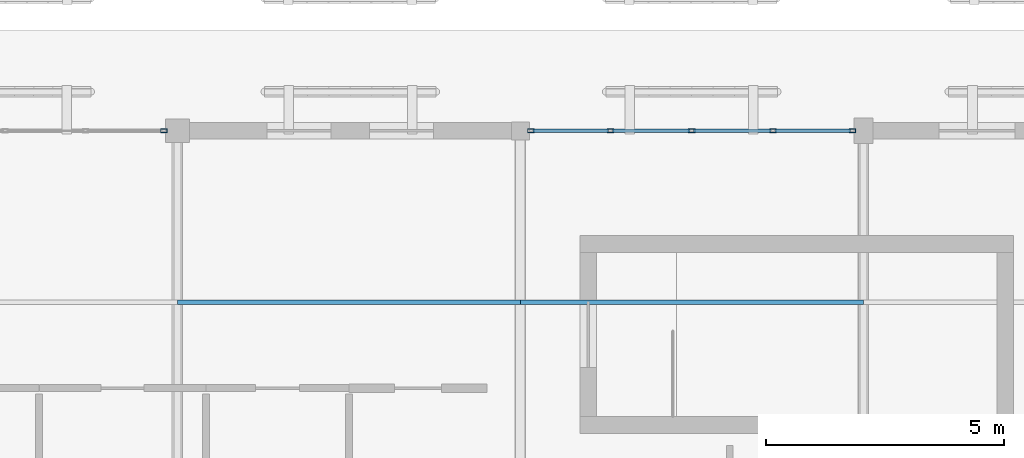
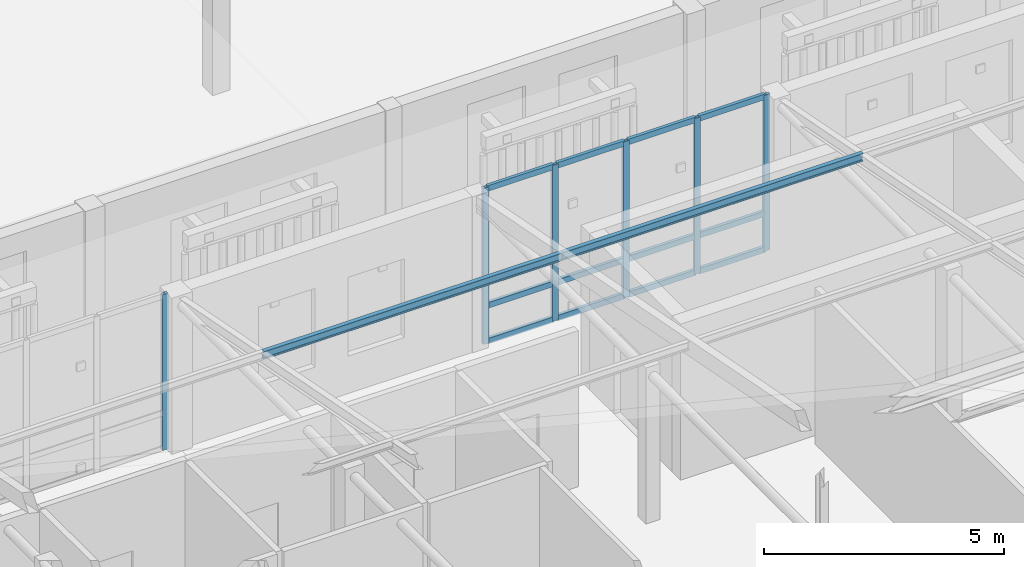
# One storey, part 55 of 112: 20 members, 2 elements without a shape of their own.
"""IFC4 building model written with IfcOpenShell, lengths in metres."""

from ifc_helpers import new_model, si_unit, direction, frame, origin, origin_2d, place, context, subcontext, project, spatial, hollow_rectangle, i_section, extrude, material, layer, layer_set, material_profile, profile_set, type_object, element, aggregate, save


model = new_model("IFC4")

# Units and contexts
model_context = context("Model", 3, precision=1e-05, world=origin(), true_north=direction((0.0, 1.0)))
body_context = subcontext(model_context, "Body", "Model", "MODEL_VIEW")
ifc_project = project(units=[si_unit("LENGTHUNIT", "METRE"), si_unit("AREAUNIT", "SQUARE_METRE"), si_unit("VOLUMEUNIT", "CUBIC_METRE"), si_unit("PLANEANGLEUNIT", "RADIAN"), si_unit("MASSUNIT", "GRAM", prefix="KILO")], contexts=[model_context])

# Site, building, storey
site_placement = place(None, origin())
site = spatial("IfcSite", under=ifc_project, at=site_placement, CompositionType="ELEMENT")
building_placement = place(site_placement, origin())
building = spatial("IfcBuilding", under=site, at=building_placement, Name="Mazaris Harbour Polytechnic", CompositionType="ELEMENT")
storey_placement = place(building_placement, frame((0.0, 0.0, 13.800048828125)))
storey = spatial("IfcBuildingStorey", under=building, at=storey_placement, Name="L03", CompositionType="ELEMENT", Elevation=13.800048828125)

# Curtain wall, member
ifc_material_1 = material(Name="Anodised Bronze Aluminium and Low-E Glass", Category="aluminium")
ifc_layer = layer(ifc_material_1, 0.159912109375, Name="Anodised Bronze Aluminium and Low-E Glass")
ifc_layer_set = layer_set([ifc_layer], Name="Anodised Bronze Aluminium and Low-E Glass")
curtain_wall_type = type_object("IfcCurtainWallType", Name="Cloister Court Curtain Wall", PredefinedType="NOTDEFINED", material=ifc_layer_set)
curtain_wall_1_placement = place(storey_placement, origin())
curtain_wall_1 = element("IfcCurtainWall", 1, at=curtain_wall_1_placement, inside=storey, type_object=curtain_wall_type, Name="V2 L03 Curtain Wall 56", PredefinedType="NOTDEFINED")
ifc_material_2 = material(Name="Anodised Bronze Steel S355", Category="steel")
ifc_material_profile_1 = material_profile(ifc_material_2, hollow_rectangle(XDim=0.080078125, YDim=0.139892578125, WallThickness=0.00634765625, at=origin_2d()), Name="RHS 80x140x6.3")
ifc_profile_set_1 = profile_set([ifc_material_profile_1], Name="Anodised Bronze Steel S355")
member_type_1 = type_object("IfcMemberType", Name="Curtain Mullion RHS80x140", PredefinedType="MULLION", material=ifc_profile_set_1)
member_1_placement = place(storey_placement, frame((143.718017578125, 43.199951171875, 0.0), z_axis=(0.0, 0.0, 1.0), x_axis=(0.0, 1.0, 0.0)))
member_1 = element("IfcMember", 2, at=member_1_placement, type_object=member_type_1, Name="CW-02 mullion 5", PredefinedType="MULLION", context=body_context, shape_type="SweptSolid", body=[
    extrude(hollow_rectangle(XDim=0.080078125, YDim=0.139892578125, WallThickness=0.00634765625, at=origin_2d()), origin(), (0.0, 0.0, 1.0), 3.9599609375),
])
aggregate(curtain_wall_1, [member_1])

# Curtain wall, members
curtain_wall_2_placement = place(storey_placement, origin())
curtain_wall_2 = element("IfcCurtainWall", 3, at=curtain_wall_2_placement, inside=storey, type_object=curtain_wall_type, Name="V2 L03 Curtain Wall 57", PredefinedType="NOTDEFINED")
member_2_placement = place(storey_placement, frame((151.422119140625, 43.199951171875, 0.0), z_axis=(0.0, 0.0, 1.0), x_axis=(0.0, 1.0, 0.0)))
member_2 = element("IfcMember", 4, at=member_2_placement, type_object=member_type_1, Name="CW-02 mullion 1", PredefinedType="MULLION", context=body_context, shape_type="SweptSolid", body=[
    extrude(hollow_rectangle(XDim=0.080078125, YDim=0.139892578125, WallThickness=0.00634765625, at=origin_2d()), origin(), (0.0, 0.0, 1.0), 3.9599609375),
])
member_3_placement = place(storey_placement, frame((153.08837890625, 43.199951171875, 0.0), z_axis=(0.0, 0.0, 1.0), x_axis=(0.0, 1.0, 0.0)))
member_3 = element("IfcMember", 5, at=member_3_placement, type_object=member_type_1, Name="CW-02 mullion 2", PredefinedType="MULLION", context=body_context, shape_type="SweptSolid", body=[
    extrude(hollow_rectangle(XDim=0.080078125, YDim=0.139892578125, WallThickness=0.00634765625, at=origin_2d()), origin(), (0.0, 0.0, 1.0), 3.9599609375),
])
member_4_placement = place(storey_placement, frame((154.794921875, 43.199951171875, 0.0), z_axis=(0.0, 0.0, 1.0), x_axis=(0.0, 1.0, 0.0)))
member_4 = element("IfcMember", 6, at=member_4_placement, type_object=member_type_1, Name="CW-02 mullion 3", PredefinedType="MULLION", context=body_context, shape_type="SweptSolid", body=[
    extrude(hollow_rectangle(XDim=0.080078125, YDim=0.139892578125, WallThickness=0.00634765625, at=origin_2d()), origin(), (0.0, 0.0, 1.0), 3.9599609375),
])
member_5_placement = place(storey_placement, frame((156.50146484375, 43.199951171875, 0.0), z_axis=(0.0, 0.0, 1.0), x_axis=(0.0, 1.0, 0.0)))
member_5 = element("IfcMember", 7, at=member_5_placement, type_object=member_type_1, Name="CW-02 mullion 4", PredefinedType="MULLION", context=body_context, shape_type="SweptSolid", body=[
    extrude(hollow_rectangle(XDim=0.080078125, YDim=0.139892578125, WallThickness=0.00634765625, at=origin_2d()), origin(), (0.0, 0.0, 1.0), 3.9599609375),
])
member_6_placement = place(storey_placement, frame((158.16796875, 43.199951171875, 0.0), z_axis=(0.0, 0.0, 1.0), x_axis=(0.0, 1.0, 0.0)))
member_6 = element("IfcMember", 8, at=member_6_placement, type_object=member_type_1, Name="CW-02 mullion 5", PredefinedType="MULLION", context=body_context, shape_type="SweptSolid", body=[
    extrude(hollow_rectangle(XDim=0.080078125, YDim=0.139892578125, WallThickness=0.00634765625, at=origin_2d()), origin(), (0.0, 0.0, 1.0), 3.9599609375),
])
ifc_material_3 = material(Name="Anodised Bronze Steel S355", Category="steel")
ifc_material_profile_2 = material_profile(ifc_material_3, hollow_rectangle(XDim=0.080078125, YDim=0.139892578125, WallThickness=0.00634765625, at=origin_2d()), Name="RHS 80x140x6.3")
ifc_profile_set_2 = profile_set([ifc_material_profile_2], Name="Anodised Bronze Steel S355")
member_type_2 = type_object("IfcMemberType", Name="Curtain Transom RHS80x140", PredefinedType="USERDEFINED", material=ifc_profile_set_2)
member_7_placement = place(storey_placement, frame((151.4619140625, 43.199951171875, 0.0400390625), z_axis=(1.0, 0.0, 0.0), x_axis=(0.0, 1.0, 0.0)))
member_7 = element("IfcMember", 9, at=member_7_placement, type_object=member_type_2, Name="CW-02 transom 1.1", ObjectType="TRANSOM", PredefinedType="USERDEFINED", context=body_context, shape_type="SweptSolid", body=[
    extrude(hollow_rectangle(XDim=0.080078125, YDim=0.139892578125, WallThickness=0.00634765625, at=origin_2d()), origin(), (0.0, 0.0, 1.0), 1.586669921875),
])
member_8_placement = place(storey_placement, frame((151.4619140625, 43.199951171875, 0.949951171875), z_axis=(1.0, 0.0, 0.0), x_axis=(0.0, 1.0, 0.0)))
member_8 = element("IfcMember", 10, at=member_8_placement, type_object=member_type_2, Name="CW-02 transom 1.2", ObjectType="TRANSOM", PredefinedType="USERDEFINED", context=body_context, shape_type="SweptSolid", body=[
    extrude(hollow_rectangle(XDim=0.080078125, YDim=0.139892578125, WallThickness=0.00634765625, at=origin_2d()), origin(), (0.0, 0.0, 1.0), 1.586669921875),
])
member_9_placement = place(storey_placement, frame((151.4619140625, 43.199951171875, 3.919921875), z_axis=(1.0, 0.0, 0.0), x_axis=(0.0, 1.0, 0.0)))
member_9 = element("IfcMember", 11, at=member_9_placement, type_object=member_type_2, Name="CW-02 transom 1.3", ObjectType="TRANSOM", PredefinedType="USERDEFINED", context=body_context, shape_type="SweptSolid", body=[
    extrude(hollow_rectangle(XDim=0.080078125, YDim=0.139892578125, WallThickness=0.00634765625, at=origin_2d()), origin(), (0.0, 0.0, 1.0), 1.586669921875),
])
member_10_placement = place(storey_placement, frame((153.12841796875, 43.199951171875, 0.0400390625), z_axis=(1.0, 0.0, 0.0), x_axis=(0.0, 1.0, 0.0)))
member_10 = element("IfcMember", 12, at=member_10_placement, type_object=member_type_2, Name="CW-02 transom 2.1", ObjectType="TRANSOM", PredefinedType="USERDEFINED", context=body_context, shape_type="SweptSolid", body=[
    extrude(hollow_rectangle(XDim=0.080078125, YDim=0.139892578125, WallThickness=0.00634765625, at=origin_2d()), origin(), (0.0, 0.0, 1.0), 1.62646484375),
])
member_11_placement = place(storey_placement, frame((153.12841796875, 43.199951171875, 0.949951171875), z_axis=(1.0, 0.0, 0.0), x_axis=(0.0, 1.0, 0.0)))
member_11 = element("IfcMember", 13, at=member_11_placement, type_object=member_type_2, Name="CW-02 transom 2.2", ObjectType="TRANSOM", PredefinedType="USERDEFINED", context=body_context, shape_type="SweptSolid", body=[
    extrude(hollow_rectangle(XDim=0.080078125, YDim=0.139892578125, WallThickness=0.00634765625, at=origin_2d()), origin(), (0.0, 0.0, 1.0), 1.62646484375),
])
member_12_placement = place(storey_placement, frame((153.12841796875, 43.199951171875, 3.919921875), z_axis=(1.0, 0.0, 0.0), x_axis=(0.0, 1.0, 0.0)))
member_12 = element("IfcMember", 14, at=member_12_placement, type_object=member_type_2, Name="CW-02 transom 2.3", ObjectType="TRANSOM", PredefinedType="USERDEFINED", context=body_context, shape_type="SweptSolid", body=[
    extrude(hollow_rectangle(XDim=0.080078125, YDim=0.139892578125, WallThickness=0.00634765625, at=origin_2d()), origin(), (0.0, 0.0, 1.0), 1.62646484375),
])
member_13_placement = place(storey_placement, frame((154.8349609375, 43.199951171875, 0.0400390625), z_axis=(1.0, 0.0, 0.0), x_axis=(0.0, 1.0, 0.0)))
member_13 = element("IfcMember", 15, at=member_13_placement, type_object=member_type_2, Name="CW-02 transom 3.1", ObjectType="TRANSOM", PredefinedType="USERDEFINED", context=body_context, shape_type="SweptSolid", body=[
    extrude(hollow_rectangle(XDim=0.080078125, YDim=0.139892578125, WallThickness=0.00634765625, at=origin_2d()), origin(), (0.0, 0.0, 1.0), 1.62646484375),
])
member_14_placement = place(storey_placement, frame((154.8349609375, 43.199951171875, 0.949951171875), z_axis=(1.0, 0.0, 0.0), x_axis=(0.0, 1.0, 0.0)))
member_14 = element("IfcMember", 16, at=member_14_placement, type_object=member_type_2, Name="CW-02 transom 3.2", ObjectType="TRANSOM", PredefinedType="USERDEFINED", context=body_context, shape_type="SweptSolid", body=[
    extrude(hollow_rectangle(XDim=0.080078125, YDim=0.139892578125, WallThickness=0.00634765625, at=origin_2d()), origin(), (0.0, 0.0, 1.0), 1.62646484375),
])
member_15_placement = place(storey_placement, frame((154.8349609375, 43.199951171875, 3.919921875), z_axis=(1.0, 0.0, 0.0), x_axis=(0.0, 1.0, 0.0)))
member_15 = element("IfcMember", 17, at=member_15_placement, type_object=member_type_2, Name="CW-02 transom 3.3", ObjectType="TRANSOM", PredefinedType="USERDEFINED", context=body_context, shape_type="SweptSolid", body=[
    extrude(hollow_rectangle(XDim=0.080078125, YDim=0.139892578125, WallThickness=0.00634765625, at=origin_2d()), origin(), (0.0, 0.0, 1.0), 1.62646484375),
])
member_16_placement = place(storey_placement, frame((156.54150390625, 43.199951171875, 0.0400390625), z_axis=(1.0, 0.0, 0.0), x_axis=(0.0, 1.0, 0.0)))
member_16 = element("IfcMember", 18, at=member_16_placement, type_object=member_type_2, Name="CW-02 transom 4.1", ObjectType="TRANSOM", PredefinedType="USERDEFINED", context=body_context, shape_type="SweptSolid", body=[
    extrude(hollow_rectangle(XDim=0.080078125, YDim=0.139892578125, WallThickness=0.00634765625, at=origin_2d()), origin(), (0.0, 0.0, 1.0), 1.58642578125),
])
member_17_placement = place(storey_placement, frame((156.54150390625, 43.199951171875, 0.949951171875), z_axis=(1.0, 0.0, 0.0), x_axis=(0.0, 1.0, 0.0)))
member_17 = element("IfcMember", 19, at=member_17_placement, type_object=member_type_2, Name="CW-02 transom 4.2", ObjectType="TRANSOM", PredefinedType="USERDEFINED", context=body_context, shape_type="SweptSolid", body=[
    extrude(hollow_rectangle(XDim=0.080078125, YDim=0.139892578125, WallThickness=0.00634765625, at=origin_2d()), origin(), (0.0, 0.0, 1.0), 1.58642578125),
])
member_18_placement = place(storey_placement, frame((156.54150390625, 43.199951171875, 3.919921875), z_axis=(1.0, 0.0, 0.0), x_axis=(0.0, 1.0, 0.0)))
member_18 = element("IfcMember", 20, at=member_18_placement, type_object=member_type_2, Name="CW-02 transom 4.3", ObjectType="TRANSOM", PredefinedType="USERDEFINED", context=body_context, shape_type="SweptSolid", body=[
    extrude(hollow_rectangle(XDim=0.080078125, YDim=0.139892578125, WallThickness=0.00634765625, at=origin_2d()), origin(), (0.0, 0.0, 1.0), 1.58642578125),
])
aggregate(curtain_wall_2, [member_2, member_3, member_4, member_5, member_6, member_7, member_8, member_9, member_10, member_11, member_12, member_13, member_14, member_15, member_16, member_17, member_18])

# Members
ifc_material_4 = material(Name="Steel S355", Category="steel")
ifc_material_profile_3 = material_profile(ifc_material_4, i_section(OverallWidth=0.10009765625, OverallDepth=0.199951171875, WebThickness=0.005615234375, FlangeThickness=0.008544921875, FilletRadius=0.011962890625, at=origin_2d()), Name="IPE 200")
ifc_profile_set_3 = profile_set([ifc_material_profile_3], Name="Steel S355")
member_type_3 = type_object("IfcMemberType", Name="Steel Purlin IPE200", PredefinedType="PURLIN", material=ifc_profile_set_3)
for number, where, z_axis, x_axis, name in (
    (21, (144.0, 39.60009765625, 4.47998046875), (1.0, 0.0, 0.0), (0.0, 1.0, 0.0), "V2 Roof Purlin 167"),
    (22, (151.199951171875, 39.60009765625, 4.47998046875), (1.0, 0.0, 0.0), (0.0, 1.0, 0.0), "V2 Roof Purlin 172"),
):
    element("IfcMember", number, at=place(storey_placement, frame(where, z_axis=z_axis, x_axis=x_axis)), inside=storey, type_object=member_type_3, Name=name, PredefinedType="PURLIN", context=body_context, shape_type="SweptSolid", body=[
        extrude(i_section(OverallWidth=0.10009765625, OverallDepth=0.199951171875, WebThickness=0.005615234375, FlangeThickness=0.008544921875, FilletRadius=0.011962890625, at=origin_2d()), origin(), (0.0, 0.0, 1.0), 7.199951171875),
    ])

save(model, "model.ifc")
